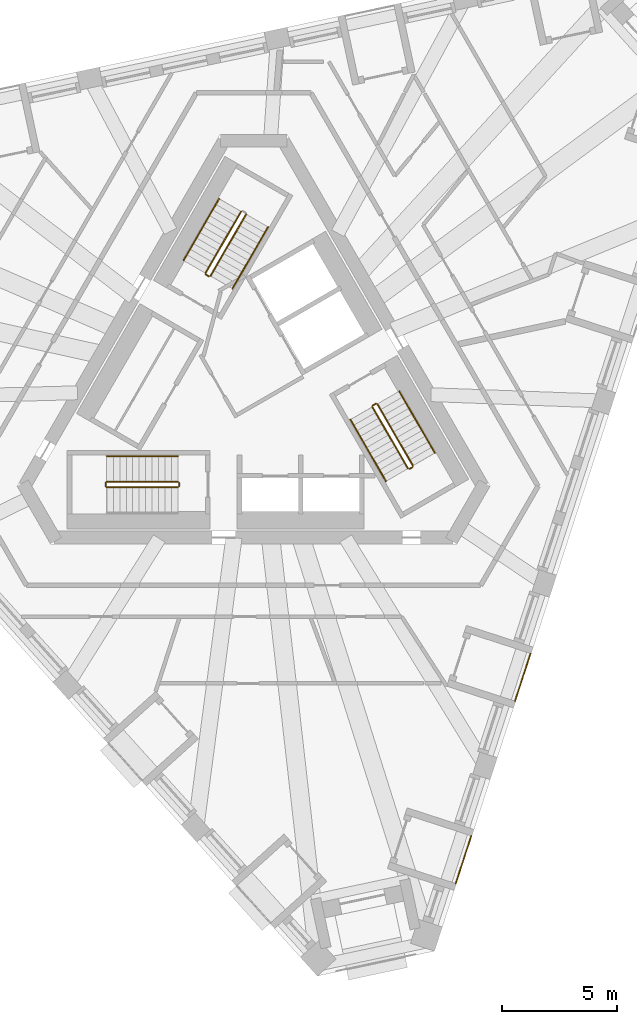
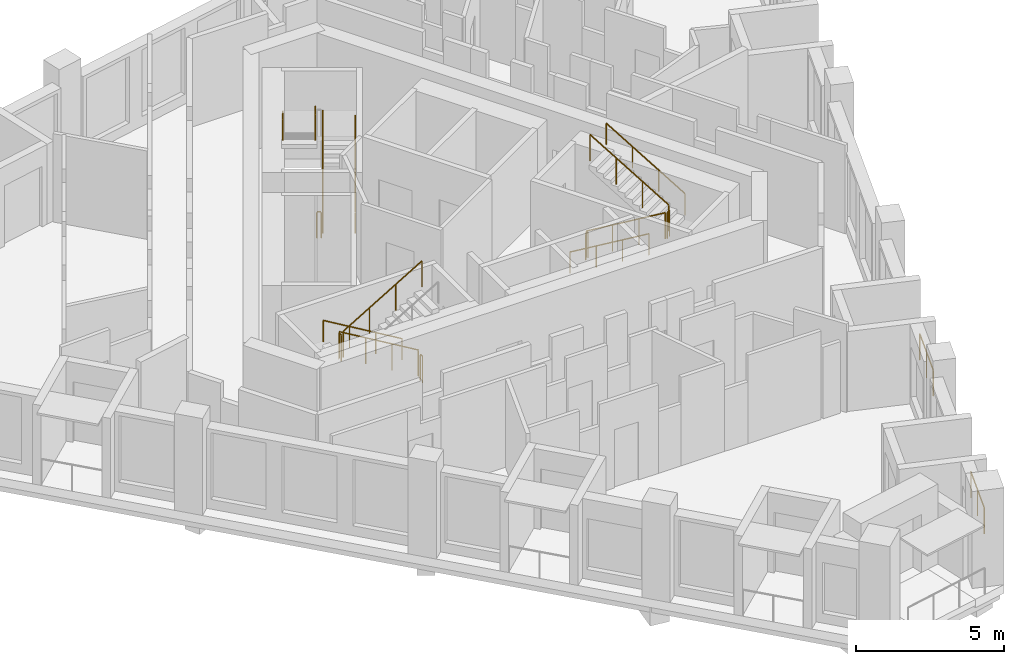
# One storey, part 10 of 12: 18 railings.
"""IFC4 building model written with IfcOpenShell, lengths in metres."""

from ifc_helpers import new_model, si_unit, direction, frame, origin, origin_2d, place, context, subcontext, project, spatial, circle, extrude, material, type_object, element, save


model = new_model("IFC4")

# Units and contexts
model_context = context("Model", 3, precision=1e-05, world=origin(), true_north=direction((0.0, 1.0)))
body_context = subcontext(model_context, "Body", "Model", "MODEL_VIEW")
ifc_project = project(units=[si_unit("LENGTHUNIT", "METRE"), si_unit("AREAUNIT", "SQUARE_METRE"), si_unit("VOLUMEUNIT", "CUBIC_METRE"), si_unit("PLANEANGLEUNIT", "RADIAN"), si_unit("MASSUNIT", "GRAM", prefix="KILO")], contexts=[model_context])

# Site, building, storey
site_placement = place(None, origin())
site = spatial("IfcSite", under=ifc_project, at=site_placement, CompositionType="ELEMENT")
building_placement = place(site_placement, origin())
building = spatial("IfcBuilding", under=site, at=building_placement, Name="Tramontana Tower", CompositionType="ELEMENT")
storey_placement = place(building_placement, frame((0.0, 0.0, 344.39990234375)))
storey = spatial("IfcBuildingStorey", under=building, at=storey_placement, Name="L79", CompositionType="ELEMENT", Elevation=344.39990234375)

# Railings
ifc_material_1 = material(Name="Laminated glass balustrade", Category="glass")
railing_type_1 = type_object("IfcRailingType", Name="GD1 Loggia glass balustrade 1100", PredefinedType="BALUSTRADE", material=ifc_material_1)
for number, where, name in (
    (1, (8.763671875, -21.472412109375, 0.0), "Loggia balustrade L79 G8S1.1"),
    (2, (11.332763671875, -13.5654296875, 0.0), "Loggia balustrade L79 G8S1.4"),
):
    element("IfcRailing", number, at=place(storey_placement, frame(where)), inside=storey, type_object=railing_type_1, Name=name, PredefinedType="BALUSTRADE", context=body_context, shape_type="SweptSolid", body=[
        extrude(circle(Radius=0.02392578125, at=origin_2d()), frame((0.0, 0.0, 1.076171875), z_axis=(0.308999623589, 0.95106216023, 0.0), x_axis=(-0.95106216023, 0.308999623589, 0.0)), (0.0, 0.0, 1.0), 2.171142578125),
        extrude(circle(Radius=0.02099609375, at=origin_2d()), origin(), (0.0, 0.0, 1.0), 1.052001953125),
        extrude(circle(Radius=0.02099609375, at=origin_2d()), frame((0.33544921875, 1.032470703125, 0.0)), (0.0, 0.0, 1.0), 1.052001953125),
        extrude(circle(Radius=0.02099609375, at=origin_2d()), frame((0.6708984375, 2.06494140625, 0.0)), (0.0, 0.0, 1.0), 1.052001953125),
    ])
ifc_material_2 = material(Name="Painted steel", Category="steel")
railing_type_2 = type_object("IfcRailingType", Name="STAIR GUARD 1100", PredefinedType="GUARDRAIL", material=ifc_material_2)
railing_1_placement = place(storey_placement, frame((-1.867431640625, 4.865478515625, 0.166748046875)))
element("IfcRailing", 3, at=railing_1_placement, inside=storey, type_object=railing_type_2, Name="L79 ST1 stair guard 1", PredefinedType="GUARDRAIL", context=body_context, shape_type="SweptSolid", body=[
    extrude(circle(Radius=0.02392578125, at=origin_2d()), frame((0.0, 0.0, 1.076171875), z_axis=(0.429649414936, 0.744189839504, 0.511451721109), x_axis=(-0.866029832698, 0.499992328818, 0.0)), (0.0, 0.0, 1.0), 3.58447265625),
    extrude(circle(Radius=0.02099609375, at=origin_2d()), origin(), (0.0, 0.0, 1.0), 1.052001953125),
    extrude(circle(Radius=0.02099609375, at=origin_2d()), frame((0.513427734375, 0.88916015625, 0.611083984375)), (0.0, 0.0, 1.0), 1.052001953125),
    extrude(circle(Radius=0.02099609375, at=origin_2d()), frame((1.026611328125, 1.7783203125, 1.22216796875)), (0.0, 0.0, 1.0), 1.052001953125),
    extrude(circle(Radius=0.02099609375, at=origin_2d()), frame((1.5400390625, 2.66748046875, 1.833251953125)), (0.0, 0.0, 1.0), 1.052001953125),
])
railing_2_placement = place(storey_placement, frame((-0.5439453125, 7.657958984375, 2.166748046875)))
element("IfcRailing", 4, at=railing_2_placement, inside=storey, type_object=railing_type_2, Name="L79 ST1 stair guard 2", PredefinedType="GUARDRAIL", context=body_context, shape_type="SweptSolid", body=[
    extrude(circle(Radius=0.02392578125, at=origin_2d()), frame((0.0, 0.0, 1.076171875), z_axis=(-0.429649414936, -0.744189839504, 0.511451721109), x_axis=(0.866029832698, -0.499992328818, 0.0)), (0.0, 0.0, 1.0), 3.58447265625),
    extrude(circle(Radius=0.02099609375, at=origin_2d()), origin(), (0.0, 0.0, 1.0), 1.052001953125),
    extrude(circle(Radius=0.02099609375, at=origin_2d()), frame((-0.513427734375, -0.88916015625, 0.611083984375)), (0.0, 0.0, 1.0), 1.052001953125),
    extrude(circle(Radius=0.02099609375, at=origin_2d()), frame((-1.026611328125, -1.7783203125, 1.22216796875)), (0.0, 0.0, 1.0), 1.052001953125),
    extrude(circle(Radius=0.02099609375, at=origin_2d()), frame((-1.5400390625, -2.66748046875, 1.833251953125)), (0.0, 0.0, 1.0), 1.052001953125),
])
railing_3_placement = place(storey_placement, frame((-1.935791015625, 4.84716796875, 0.0)))
element("IfcRailing", 5, at=railing_3_placement, inside=storey, type_object=railing_type_2, Name="L79 ST1 stair guard 4", PredefinedType="GUARDRAIL", context=body_context, shape_type="SweptSolid", body=[
    extrude(circle(Radius=0.02392578125, at=origin_2d()), frame((0.0, 0.0, 1.076171875), z_axis=(-0.865426285481, 0.501036270542, 0.0), x_axis=(-0.501036270542, -0.865426285481, 0.0)), (0.0, 0.0, 1.0), 0.150146484375),
    extrude(circle(Radius=0.02099609375, at=origin_2d()), origin(), (0.0, 0.0, 1.0), 1.052001953125),
    extrude(circle(Radius=0.02099609375, at=origin_2d()), frame((-0.1298828125, 0.0751953125, 0.0)), (0.0, 0.0, 1.0), 1.052001953125),
])
railing_4_placement = place(storey_placement, frame((-3.280029296875, -4.050048828125, 0.166748046875)))
element("IfcRailing", 6, at=railing_4_placement, inside=storey, type_object=railing_type_2, Name="L79 ST2 stair guard 1", PredefinedType="GUARDRAIL", context=body_context, shape_type="SweptSolid", body=[
    extrude(circle(Radius=0.02392578125, at=origin_2d()), frame((0.0, 0.0, 1.076171875), z_axis=(-0.859308565015, 0.0, 0.511457515432), x_axis=(0.0, -1.0, 0.0)), (0.0, 0.0, 1.0), 3.58447265625),
    extrude(circle(Radius=0.02099609375, at=origin_2d()), origin(), (0.0, 0.0, 1.0), 1.052001953125),
    extrude(circle(Radius=0.02099609375, at=origin_2d()), frame((-1.026611328125, 0.0, 0.611083984375)), (0.0, 0.0, 1.0), 1.052001953125),
    extrude(circle(Radius=0.02099609375, at=origin_2d()), frame((-2.053466796875, 0.0, 1.22216796875)), (0.0, 0.0, 1.0), 1.052001953125),
    extrude(circle(Radius=0.02099609375, at=origin_2d()), frame((-3.080078125, 0.0, 1.833251953125)), (0.0, 0.0, 1.0), 1.052001953125),
])
railing_5_placement = place(storey_placement, frame((-6.360107421875, -4.300048828125, 2.166748046875)))
element("IfcRailing", 7, at=railing_5_placement, inside=storey, type_object=railing_type_2, Name="L79 ST2 stair guard 2", PredefinedType="GUARDRAIL", context=body_context, shape_type="SweptSolid", body=[
    extrude(circle(Radius=0.02392578125, at=origin_2d()), frame((0.0, 0.0, 1.076171875), z_axis=(0.859308565015, 0.0, 0.511457515432), x_axis=(0.0, 1.0, 0.0)), (0.0, 0.0, 1.0), 3.58447265625),
    extrude(circle(Radius=0.02099609375, at=origin_2d()), origin(), (0.0, 0.0, 1.0), 1.052001953125),
    extrude(circle(Radius=0.02099609375, at=origin_2d()), frame((1.026611328125, 0.0, 0.611083984375)), (0.0, 0.0, 1.0), 1.052001953125),
    extrude(circle(Radius=0.02099609375, at=origin_2d()), frame((2.053466796875, 0.0, 1.22216796875)), (0.0, 0.0, 1.0), 1.052001953125),
    extrude(circle(Radius=0.02099609375, at=origin_2d()), frame((3.080078125, 0.0, 1.833251953125)), (0.0, 0.0, 1.0), 1.052001953125),
])
for number, where, name in (
    (8, (-6.409912109375, -4.10009765625, 2.0), "L79 ST2 stair guard 3"),
    (9, (-3.22998046875, -4.10009765625, 0.0), "L79 ST2 stair guard 4"),
):
    element("IfcRailing", number, at=place(storey_placement, frame(where)), inside=storey, type_object=railing_type_2, Name=name, PredefinedType="GUARDRAIL", context=body_context, shape_type="SweptSolid", body=[
        extrude(circle(Radius=0.02392578125, at=origin_2d()), frame((0.0, 0.0, 1.076171875), z_axis=(0.0, -1.0, 0.0), x_axis=(1.0, 0.0, 0.0)), (0.0, 0.0, 1.0), 0.14990234375),
        extrude(circle(Radius=0.02099609375, at=origin_2d()), origin(), (0.0, 0.0, 1.0), 1.052001953125),
        extrude(circle(Radius=0.02099609375, at=origin_2d()), frame((0.0, -0.14990234375, 0.0)), (0.0, 0.0, 1.0), 1.052001953125),
    ])
railing_6_placement = place(storey_placement, frame((5.1474609375, -0.815673828125, 0.166748046875)))
element("IfcRailing", 10, at=railing_6_placement, inside=storey, type_object=railing_type_2, Name="L79 ST3 stair guard 1", PredefinedType="GUARDRAIL", context=body_context, shape_type="SweptSolid", body=[
    extrude(circle(Radius=0.02392578125, at=origin_2d()), frame((0.0, 0.0, 1.076171875), z_axis=(0.429671193721, -0.744159446956, 0.511477646425), x_axis=(0.866010015463, 0.500026652407, 0.0)), (0.0, 0.0, 1.0), 3.584228515625),
    extrude(circle(Radius=0.02099609375, at=origin_2d()), origin(), (0.0, 0.0, 1.0), 1.052001953125),
    extrude(circle(Radius=0.02099609375, at=origin_2d()), frame((0.513427734375, -0.88916015625, 0.611083984375)), (0.0, 0.0, 1.0), 1.052001953125),
    extrude(circle(Radius=0.02099609375, at=origin_2d()), frame((1.026611328125, -1.778076171875, 1.22216796875)), (0.0, 0.0, 1.0), 1.052001953125),
    extrude(circle(Radius=0.02099609375, at=origin_2d()), frame((1.5400390625, -2.667236328125, 1.833251953125)), (0.0, 0.0, 1.0), 1.052001953125),
])
railing_7_placement = place(storey_placement, frame((6.90380859375, -3.35791015625, 2.166748046875)))
element("IfcRailing", 11, at=railing_7_placement, inside=storey, type_object=railing_type_2, Name="L79 ST3 stair guard 2", PredefinedType="GUARDRAIL", context=body_context, shape_type="SweptSolid", body=[
    extrude(circle(Radius=0.02392578125, at=origin_2d()), frame((0.0, 0.0, 1.076171875), z_axis=(-0.429615651263, 0.74418122563, 0.511492615401), x_axis=(-0.866044340336, -0.499967199496, 0.0)), (0.0, 0.0, 1.0), 3.584228515625),
    extrude(circle(Radius=0.02099609375, at=origin_2d()), origin(), (0.0, 0.0, 1.0), 1.052001953125),
    extrude(circle(Radius=0.02099609375, at=origin_2d()), frame((-0.51318359375, 0.88916015625, 0.611083984375)), (0.0, 0.0, 1.0), 1.052001953125),
    extrude(circle(Radius=0.02099609375, at=origin_2d()), frame((-1.026611328125, 1.778076171875, 1.22216796875)), (0.0, 0.0, 1.0), 1.052001953125),
    extrude(circle(Radius=0.02099609375, at=origin_2d()), frame((-1.539794921875, 2.667236328125, 1.833251953125)), (0.0, 0.0, 1.0), 1.052001953125),
])
for number, where, name in (
    (12, (6.755615234375, -3.501220703125, 2.0), "L79 ST3 stair guard 3"),
    (13, (5.165771484375, -0.747314453125, 0.0), "L79 ST3 stair guard 4"),
):
    element("IfcRailing", number, at=place(storey_placement, frame(where)), inside=storey, type_object=railing_type_2, Name=name, PredefinedType="GUARDRAIL", context=body_context, shape_type="SweptSolid", body=[
        extrude(circle(Radius=0.02392578125, at=origin_2d()), frame((0.0, 0.0, 1.076171875), z_axis=(0.866131372301, 0.499816412211, 0.0), x_axis=(-0.499816412211, 0.866131372301, 0.0)), (0.0, 0.0, 1.0), 0.14990234375),
        extrude(circle(Radius=0.02099609375, at=origin_2d()), origin(), (0.0, 0.0, 1.0), 1.052001953125),
        extrude(circle(Radius=0.02099609375, at=origin_2d()), frame((0.1298828125, 0.074951171875, 0.0)), (0.0, 0.0, 1.0), 1.052001953125),
    ])
ifc_material_3 = material(Name="Painted steel", Category="steel")
railing_type_3 = type_object("IfcRailingType", Name="STAIR HANDRAIL 900", PredefinedType="HANDRAIL", material=ifc_material_3)
railing_8_placement = place(storey_placement, frame((-0.914794921875, 4.315673828125, 0.166748046875)))
element("IfcRailing", 14, at=railing_8_placement, inside=storey, type_object=railing_type_3, Name="L79 ST1 stair handrail 1", PredefinedType="HANDRAIL", context=body_context, shape_type="SweptSolid", body=[
    extrude(circle(Radius=0.02392578125, at=origin_2d()), frame((0.0, 0.0, 0.8759765625), z_axis=(0.429671193721, 0.744159446956, 0.511477646425), x_axis=(-0.866010015463, 0.500026652407, 0.0)), (0.0, 0.0, 1.0), 3.584228515625),
    extrude(circle(Radius=0.02099609375, at=origin_2d()), origin(), (0.0, 0.0, 1.0), 0.851806640625),
    extrude(circle(Radius=0.02099609375, at=origin_2d()), frame((0.513427734375, 0.88916015625, 0.611083984375)), (0.0, 0.0, 1.0), 0.851806640625),
    extrude(circle(Radius=0.02099609375, at=origin_2d()), frame((1.026611328125, 1.778076171875, 1.22216796875)), (0.0, 0.0, 1.0), 0.851806640625),
    extrude(circle(Radius=0.02099609375, at=origin_2d()), frame((1.5400390625, 2.667236328125, 1.833251953125)), (0.0, 0.0, 1.0), 0.851806640625),
])
railing_9_placement = place(storey_placement, frame((-1.49658203125, 8.2080078125, 2.166748046875)))
element("IfcRailing", 15, at=railing_9_placement, inside=storey, type_object=railing_type_3, Name="L79 ST1 stair handrail 2", PredefinedType="HANDRAIL", context=body_context, shape_type="SweptSolid", body=[
    extrude(circle(Radius=0.02392578125, at=origin_2d()), frame((0.0, 0.0, 0.8759765625), z_axis=(-0.429649414936, -0.744189839504, 0.511451721109), x_axis=(0.866029832698, -0.499992328818, 0.0)), (0.0, 0.0, 1.0), 3.58447265625),
    extrude(circle(Radius=0.02099609375, at=origin_2d()), origin(), (0.0, 0.0, 1.0), 0.851806640625),
    extrude(circle(Radius=0.02099609375, at=origin_2d()), frame((-0.513427734375, -0.88916015625, 0.611083984375)), (0.0, 0.0, 1.0), 0.851806640625),
    extrude(circle(Radius=0.02099609375, at=origin_2d()), frame((-1.026611328125, -1.7783203125, 1.22216796875)), (0.0, 0.0, 1.0), 0.851806640625),
    extrude(circle(Radius=0.02099609375, at=origin_2d()), frame((-1.5400390625, -2.66748046875, 1.833251953125)), (0.0, 0.0, 1.0), 0.851806640625),
])
railing_10_placement = place(storey_placement, frame((-3.280029296875, -2.949951171875, 0.166748046875)))
element("IfcRailing", 16, at=railing_10_placement, inside=storey, type_object=railing_type_3, Name="L79 ST2 stair handrail 1", PredefinedType="HANDRAIL", context=body_context, shape_type="SweptSolid", body=[
    extrude(circle(Radius=0.02392578125, at=origin_2d()), frame((0.0, 0.0, 0.8759765625), z_axis=(-0.859308565015, 0.0, 0.511457515432), x_axis=(0.0, -1.0, 0.0)), (0.0, 0.0, 1.0), 3.58447265625),
    extrude(circle(Radius=0.02099609375, at=origin_2d()), origin(), (0.0, 0.0, 1.0), 0.851806640625),
    extrude(circle(Radius=0.02099609375, at=origin_2d()), frame((-1.026611328125, 0.0, 0.611083984375)), (0.0, 0.0, 1.0), 0.851806640625),
    extrude(circle(Radius=0.02099609375, at=origin_2d()), frame((-2.053466796875, 0.0, 1.22216796875)), (0.0, 0.0, 1.0), 0.851806640625),
    extrude(circle(Radius=0.02099609375, at=origin_2d()), frame((-3.080078125, 0.0, 1.833251953125)), (0.0, 0.0, 1.0), 0.851806640625),
])
railing_11_placement = place(storey_placement, frame((4.19482421875, -1.365478515625, 0.166748046875)))
element("IfcRailing", 17, at=railing_11_placement, inside=storey, type_object=railing_type_3, Name="L79 ST3 stair handrail 1", PredefinedType="HANDRAIL", context=body_context, shape_type="SweptSolid", body=[
    extrude(circle(Radius=0.02392578125, at=origin_2d()), frame((0.0, 0.0, 0.8759765625), z_axis=(0.429649414936, -0.744189839504, 0.511451721109), x_axis=(0.866029832698, 0.499992328818, 0.0)), (0.0, 0.0, 1.0), 3.58447265625),
    extrude(circle(Radius=0.02099609375, at=origin_2d()), origin(), (0.0, 0.0, 1.0), 0.851806640625),
    extrude(circle(Radius=0.02099609375, at=origin_2d()), frame((0.513427734375, -0.88916015625, 0.611083984375)), (0.0, 0.0, 1.0), 0.851806640625),
    extrude(circle(Radius=0.02099609375, at=origin_2d()), frame((1.026611328125, -1.7783203125, 1.22216796875)), (0.0, 0.0, 1.0), 0.851806640625),
    extrude(circle(Radius=0.02099609375, at=origin_2d()), frame((1.5400390625, -2.66748046875, 1.833251953125)), (0.0, 0.0, 1.0), 0.851806640625),
])
railing_12_placement = place(storey_placement, frame((7.8564453125, -2.807861328125, 2.166748046875)))
element("IfcRailing", 18, at=railing_12_placement, inside=storey, type_object=railing_type_3, Name="L79 ST3 stair handrail 2", PredefinedType="HANDRAIL", context=body_context, shape_type="SweptSolid", body=[
    extrude(circle(Radius=0.02392578125, at=origin_2d()), frame((0.0, 0.0, 0.8759765625), z_axis=(-0.429615651263, 0.74418122563, 0.511492615401), x_axis=(-0.866044340336, -0.499967199496, 0.0)), (0.0, 0.0, 1.0), 3.584228515625),
    extrude(circle(Radius=0.02099609375, at=origin_2d()), origin(), (0.0, 0.0, 1.0), 0.851806640625),
    extrude(circle(Radius=0.02099609375, at=origin_2d()), frame((-0.51318359375, 0.88916015625, 0.611083984375)), (0.0, 0.0, 1.0), 0.851806640625),
    extrude(circle(Radius=0.02099609375, at=origin_2d()), frame((-1.026611328125, 1.778076171875, 1.22216796875)), (0.0, 0.0, 1.0), 0.851806640625),
    extrude(circle(Radius=0.02099609375, at=origin_2d()), frame((-1.539794921875, 2.667236328125, 1.833251953125)), (0.0, 0.0, 1.0), 0.851806640625),
])

save(model, "model.ifc")
